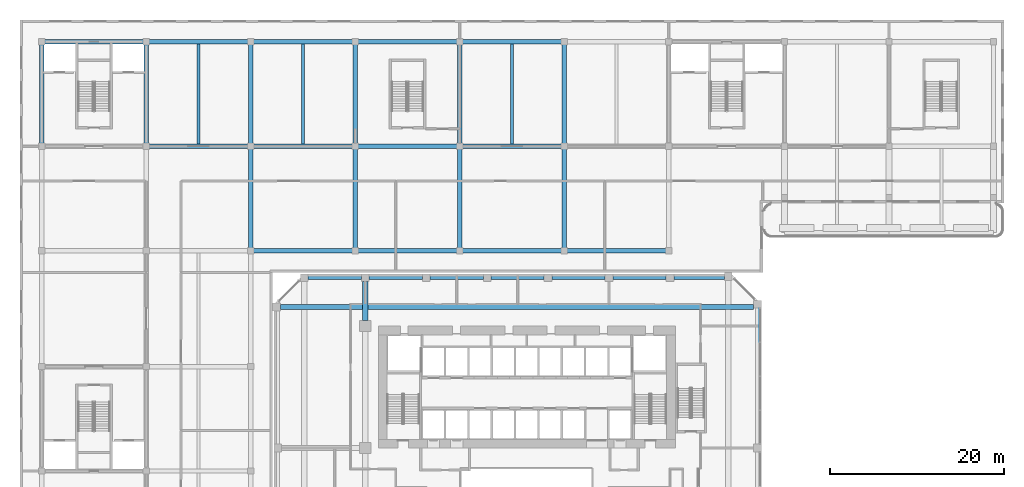
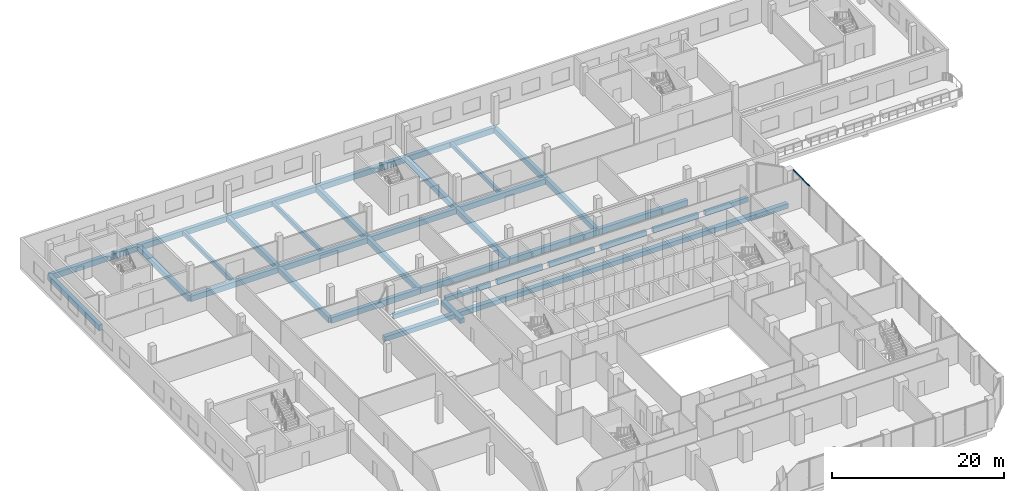
# One storey, part 9 of 36: 35 beams, 1 member, 1 element without a shape of its own.
"""IFC4 building model written with IfcOpenShell, lengths in metres."""

from ifc_helpers import new_model, si_unit, direction, frame, origin, origin_2d, place, context, subcontext, project, spatial, rectangle, extrude, source, transform, mapped, material, material_profile, profile_set, type_object, element, aggregate, save


model = new_model("IFC4")

# Units and contexts
model_context = context("Model", 3, precision=1e-05, world=origin(), true_north=direction((0.0, 1.0)))
body_context = subcontext(model_context, "Body", "Model", "MODEL_VIEW")
ifc_project = project(units=[si_unit("LENGTHUNIT", "METRE"), si_unit("AREAUNIT", "SQUARE_METRE"), si_unit("VOLUMEUNIT", "CUBIC_METRE"), si_unit("PLANEANGLEUNIT", "RADIAN"), si_unit("MASSUNIT", "GRAM", prefix="KILO")], contexts=[model_context])

# Site, building, storey
site_placement = place(None, origin())
site = spatial("IfcSite", under=ifc_project, at=site_placement, CompositionType="ELEMENT")
building_placement = place(site_placement, origin())
building = spatial("IfcBuilding", under=site, at=building_placement, Name="Kilnfold Tower and Market Hall", CompositionType="ELEMENT")
storey_placement = place(building_placement, frame((0.0, 0.0, 18.0)))
storey = spatial("IfcBuildingStorey", under=building, at=storey_placement, Name="L03", CompositionType="ELEMENT", Elevation=18.0)

# Beams
ifc_material_1 = material(Name="Concrete C40/50", Category="concrete")
ifc_material_profile_1 = material_profile(ifc_material_1, rectangle(XDim=0.5, YDim=0.800048828125, at=origin_2d()), Name="RC 500x800")
ifc_profile_set_1 = profile_set([ifc_material_profile_1], Name="Concrete C40/50")
beam_type_1 = type_object("IfcBeamType", Name="HALL GIRDER 500X800", PredefinedType="BEAM", material=ifc_profile_set_1)
for number, where, z_axis, x_axis, name in (
    (1, (-54.64990234375, 42.64990234375, -0.800048828125), (0.0, 1.0, 0.0), (-1.0, 0.0, 0.0), "Beam MG2.15"),
    (2, (-54.64990234375, 54.64990234375, -0.800048828125), (1.0, 0.0, 0.0), (0.0, 1.0, 0.0), "Beam MG2.17"),
    (3, (-42.64990234375, 42.64990234375, -0.800048828125), (0.0, 1.0, 0.0), (-1.0, 0.0, 0.0), "Beam MG2.30"),
    (4, (-42.64990234375, 42.64990234375, -0.800048828125), (1.0, 0.0, 0.0), (0.0, 1.0, 0.0), "Beam MG2.31"),
    (5, (-42.64990234375, 54.64990234375, -0.800048828125), (1.0, 0.0, 0.0), (0.0, 1.0, 0.0), "Beam MG2.32"),
    (6, (-30.64990234375, 30.64990234375, -0.800048828125), (0.0, 1.0, 0.0), (-1.0, 0.0, 0.0), "Beam MG2.38"),
    (7, (-30.64990234375, 30.64990234375, -0.800048828125), (1.0, 0.0, 0.0), (0.0, 1.0, 0.0), "Beam MG2.39"),
    (8, (-30.64990234375, 42.64990234375, -0.800048828125), (0.0, 1.0, 0.0), (-1.0, 0.0, 0.0), "Beam MG2.40"),
    (9, (-30.64990234375, 42.64990234375, -0.800048828125), (1.0, 0.0, 0.0), (0.0, 1.0, 0.0), "Beam MG2.41"),
    (10, (-30.64990234375, 54.64990234375, -0.800048828125), (1.0, 0.0, 0.0), (0.0, 1.0, 0.0), "Beam MG2.42"),
    (11, (-18.64990234375, 30.64990234375, -0.800048828125), (0.0, 1.0, 0.0), (-1.0, 0.0, 0.0), "Beam MG2.43"),
    (12, (-18.64990234375, 30.64990234375, -0.800048828125), (1.0, 0.0, 0.0), (0.0, 1.0, 0.0), "Beam MG2.44"),
    (13, (-18.64990234375, 42.64990234375, -0.800048828125), (0.0, 1.0, 0.0), (-1.0, 0.0, 0.0), "Beam MG2.45"),
    (14, (-18.64990234375, 42.64990234375, -0.800048828125), (1.0, 0.0, 0.0), (0.0, 1.0, 0.0), "Beam MG2.46"),
    (15, (-18.64990234375, 54.64990234375, -0.800048828125), (1.0, 0.0, 0.0), (0.0, 1.0, 0.0), "Beam MG2.47"),
    (16, (-6.64990234375, 30.64990234375, -0.800048828125), (0.0, 1.0, 0.0), (-1.0, 0.0, 0.0), "Beam MG2.48"),
    (17, (-6.64990234375, 30.64990234375, -0.800048828125), (1.0, 0.0, 0.0), (0.0, 1.0, 0.0), "Beam MG2.49"),
    (18, (-6.64990234375, 42.64990234375, -0.800048828125), (0.0, 1.0, 0.0), (-1.0, 0.0, 0.0), "Beam MG2.50"),
    (19, (-6.64990234375, 42.64990234375, -0.800048828125), (1.0, 0.0, 0.0), (0.0, 1.0, 0.0), "Beam MG2.51"),
    (20, (-6.64990234375, 54.64990234375, -0.800048828125), (1.0, 0.0, 0.0), (0.0, 1.0, 0.0), "Beam MG2.52"),
    (21, (5.35009765625, 30.64990234375, -0.800048828125), (0.0, 1.0, 0.0), (-1.0, 0.0, 0.0), "Beam MG2.53"),
    (22, (5.35009765625, 30.64990234375, -0.800048828125), (1.0, 0.0, 0.0), (0.0, 1.0, 0.0), "Beam MG2.54"),
    (23, (5.35009765625, 42.64990234375, -0.800048828125), (0.0, 1.0, 0.0), (-1.0, 0.0, 0.0), "Beam MG2.55"),
):
    element("IfcBeam", number, at=place(storey_placement, frame(where, z_axis=z_axis, x_axis=x_axis)), inside=storey, type_object=beam_type_1, Name=name, PredefinedType="BEAM", context=body_context, shape_type="SweptSolid", body=[
        extrude(rectangle(XDim=0.5, YDim=0.800048828125, at=origin_2d()), origin(), (0.0, 0.0, 1.0), 12.0),
    ])
ifc_material_2 = material(Name="Concrete C40/50", Category="concrete")
ifc_material_profile_2 = material_profile(ifc_material_2, rectangle(XDim=0.35009765625, YDim=0.60009765625, at=origin_2d()), Name="RC 350x600")
ifc_profile_set_2 = profile_set([ifc_material_profile_2], Name="Concrete C40/50")
beam_type_2 = type_object("IfcBeamType", Name="HALL JOIST 350X600", PredefinedType="BEAM", material=ifc_profile_set_2)
for number, where, z_axis, x_axis, name in (
    (24, (-36.64990234375, 42.89990234375, -0.699951171875), (0.0, 1.0, 0.0), (-1.0, 0.0, 0.0), "Beam MJ1.9"),
    (25, (-24.64990234375, 42.89990234375, -0.699951171875), (0.0, 1.0, 0.0), (-1.0, 0.0, 0.0), "Beam MJ1.10"),
    (26, (-0.64990234375, 42.89990234375, -0.699951171875), (0.0, 1.0, 0.0), (-1.0, 0.0, 0.0), "Beam MJ1.11"),
):
    element("IfcBeam", number, at=place(storey_placement, frame(where, z_axis=z_axis, x_axis=x_axis)), inside=storey, type_object=beam_type_2, Name=name, PredefinedType="BEAM", context=body_context, shape_type="SweptSolid", body=[
        extrude(rectangle(XDim=0.35009765625, YDim=0.60009765625, at=origin_2d()), origin(), (0.0, 0.0, 1.0), 11.5),
    ])
ifc_material_3 = material(Name="Concrete C45", Category="concrete")
ifc_material_profile_3 = material_profile(ifc_material_3, rectangle(XDim=0.449951171875, YDim=0.64990234375, at=origin_2d()), Name="RC 450x650")
ifc_profile_set_3 = profile_set([ifc_material_profile_3], Name="Concrete C45")
beam_type_3 = type_object("IfcBeamType", Name="EDGE BEAM 450X650 C45", PredefinedType="BEAM", material=ifc_profile_set_3)
shared_shape_1 = source(origin(), body_context, "Body", "SweptSolid", [
    extrude(rectangle(XDim=0.449951171875, YDim=0.64990234375, at=origin_2d()), origin(), (0.0, 0.0, 1.0), 6.10009765625),
])
for number, where, z_axis, x_axis, name in (
    (27, (-24.050048828125, 27.550048828125, -0.72509765625), (1.0, 0.0, 0.0), (0.0, 1.0, 0.0), "Beam EB650-B1.23"),
    (28, (-17.050048828125, 27.550048828125, -0.72509765625), (1.0, 0.0, 0.0), (0.0, 1.0, 0.0), "Beam EB650-B1.24"),
    (29, (-10.050048828125, 27.550048828125, -0.72509765625), (1.0, 0.0, 0.0), (0.0, 1.0, 0.0), "Beam EB650-B1.25"),
    (30, (-3.050048828125, 27.550048828125, -0.72509765625), (1.0, 0.0, 0.0), (0.0, 1.0, 0.0), "Beam EB650-B1.26"),
    (31, (3.949951171875, 27.550048828125, -0.72509765625), (1.0, 0.0, 0.0), (0.0, 1.0, 0.0), "Beam EB650-B1.27"),
    (32, (10.949951171875, 27.550048828125, -0.72509765625), (1.0, 0.0, 0.0), (0.0, 1.0, 0.0), "Beam EB650-B1.28"),
):
    element("IfcBeam", number, at=place(storey_placement, frame(where, z_axis=z_axis, x_axis=x_axis)), inside=storey, type_object=beam_type_3, Name=name, PredefinedType="BEAM", context=body_context, shape_type="MappedRepresentation", body=[
        mapped(shared_shape_1, transform((0.0, 0.0, 0.0))),
    ])
ifc_material_4 = material(Name="Concrete C45", Category="concrete")
ifc_material_profile_4 = material_profile(ifc_material_4, rectangle(XDim=0.60009765625, YDim=0.64990234375, at=origin_2d()), Name="RC 600x650")
ifc_profile_set_4 = profile_set([ifc_material_profile_4], Name="Concrete C45")
beam_type_4 = type_object("IfcBeamType", Name="BEAM 600X650 C45", PredefinedType="BEAM", material=ifc_profile_set_4)
shared_shape_2 = source(origin(), body_context, "Body", "SweptSolid", [
    extrude(rectangle(XDim=0.60009765625, YDim=0.64990234375, at=origin_2d()), origin(), (0.0, 0.0, 1.0), 54.331787109375),
])
beam_1_placement = place(storey_placement, frame((-27.231689453125, 24.179931640625, -0.72509765625), z_axis=(1.0, 0.0, 0.0), x_axis=(0.0, 1.0, 0.0)))
element("IfcBeam", 33, at=beam_1_placement, inside=storey, type_object=beam_type_4, Name="Beam BB650-B1.22", PredefinedType="BEAM", context=body_context, shape_type="MappedRepresentation", body=[
    mapped(shared_shape_2, transform((0.0, 0.0, 0.0))),
])
shared_shape_3 = source(origin(), body_context, "Body", "SweptSolid", [
    extrude(rectangle(XDim=0.449951171875, YDim=0.64990234375, at=origin_2d()), origin(), (0.0, 0.0, 1.0), 5.78173828125),
])
beam_2_placement = place(storey_placement, frame((17.949951171875, 27.550048828125, -0.72509765625), z_axis=(1.0, 0.0, 0.0), x_axis=(0.0, 1.0, 0.0)))
element("IfcBeam", 34, at=beam_2_placement, inside=storey, type_object=beam_type_3, Name="Beam EB650-B1.29", PredefinedType="BEAM", context=body_context, shape_type="MappedRepresentation", body=[
    mapped(shared_shape_3, transform((0.0, 0.0, 0.0))),
])
shared_shape_4 = source(origin(), body_context, "Body", "SweptSolid", [
    extrude(rectangle(XDim=0.60009765625, YDim=0.64990234375, at=origin_2d()), origin(), (0.0, 0.0, 1.0), 4.4501953125),
])
beam_3_placement = place(storey_placement, frame((-17.5, 22.64990234375, -0.72509765625), z_axis=(0.0, 1.0, 0.0), x_axis=(-1.0, 0.0, 0.0)))
element("IfcBeam", 35, at=beam_3_placement, inside=storey, type_object=beam_type_4, Name="Beam BB650-B1.39", PredefinedType="BEAM", context=body_context, shape_type="MappedRepresentation", body=[
    mapped(shared_shape_4, transform((0.0, 0.0, 0.0))),
])

# Curtain wall, member
ifc_material_5 = material(Name="Aluminium and double glazing", Category="aluminium")
curtain_wall_type = type_object("IfcCurtainWallType", Name="CW BASE PODIUM GLAZING", PredefinedType="NOTDEFINED", material=ifc_material_5)
curtain_wall_placement = place(storey_placement, origin())
curtain_wall = element("IfcCurtainWall", 36, at=curtain_wall_placement, inside=storey, type_object=curtain_wall_type, Name="Curtain wall CW4 L03 E", PredefinedType="NOTDEFINED")
ifc_material_6 = material(Name="Aluminium", Category="aluminium")
ifc_material_profile_5 = material_profile(ifc_material_6, rectangle(XDim=0.070068359375, YDim=0.159912109375, at=origin_2d()), Name="TRANSOM 70x160")
ifc_profile_set_5 = profile_set([ifc_material_profile_5], Name="Aluminium")
member_type = type_object("IfcMemberType", Name="TRANSOM 70X160", PredefinedType="USERDEFINED", material=ifc_profile_set_5)
shared_shape_5 = source(origin(), body_context, "Body", "SweptSolid", [
    extrude(rectangle(XDim=0.070068359375, YDim=0.159912109375, at=origin_2d()), origin(), (0.0, 0.0, 1.0), 3.760009765625),
])
member_placement = place(storey_placement, frame((27.85009765625, 20.219970703125, 4.06494140625), z_axis=(0.0, 1.0, 0.0), x_axis=(-1.0, 0.0, 0.0)))
member = element("IfcMember", 37, at=member_placement, type_object=member_type, Name="CW4 transom 1.2", ObjectType="TRANSOM", PredefinedType="USERDEFINED", context=body_context, shape_type="MappedRepresentation", body=[
    mapped(shared_shape_5, transform((0.0, 0.0, 0.0))),
])
aggregate(curtain_wall, [member])

save(model, "model.ifc")
